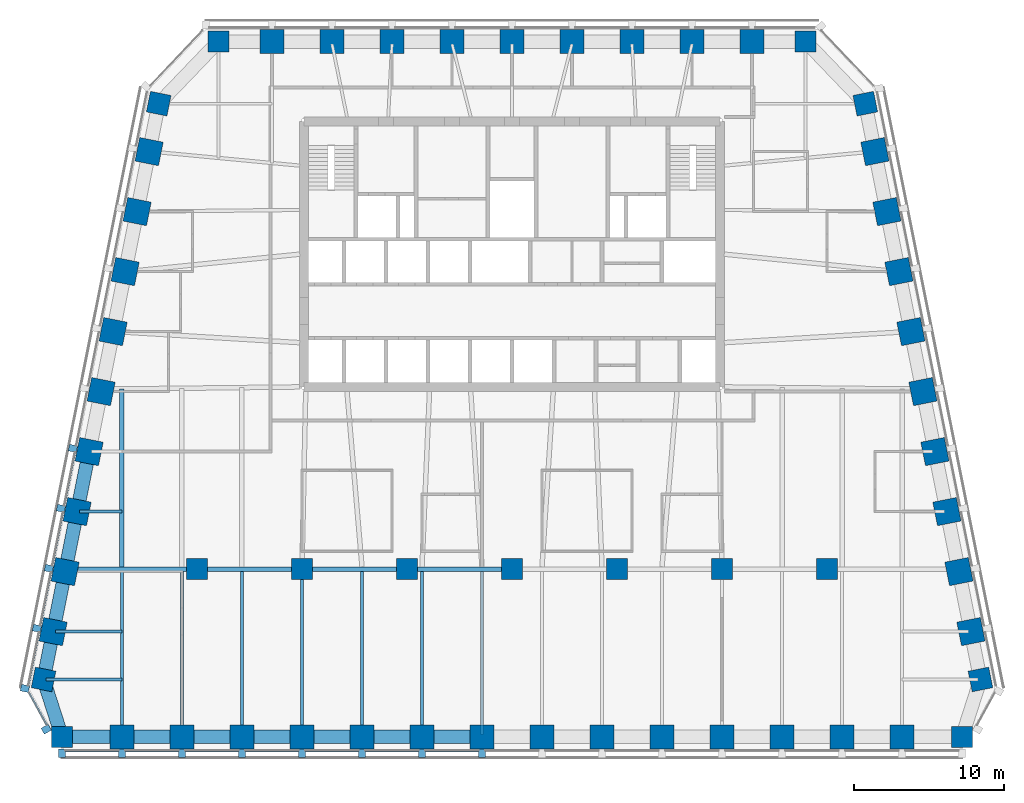
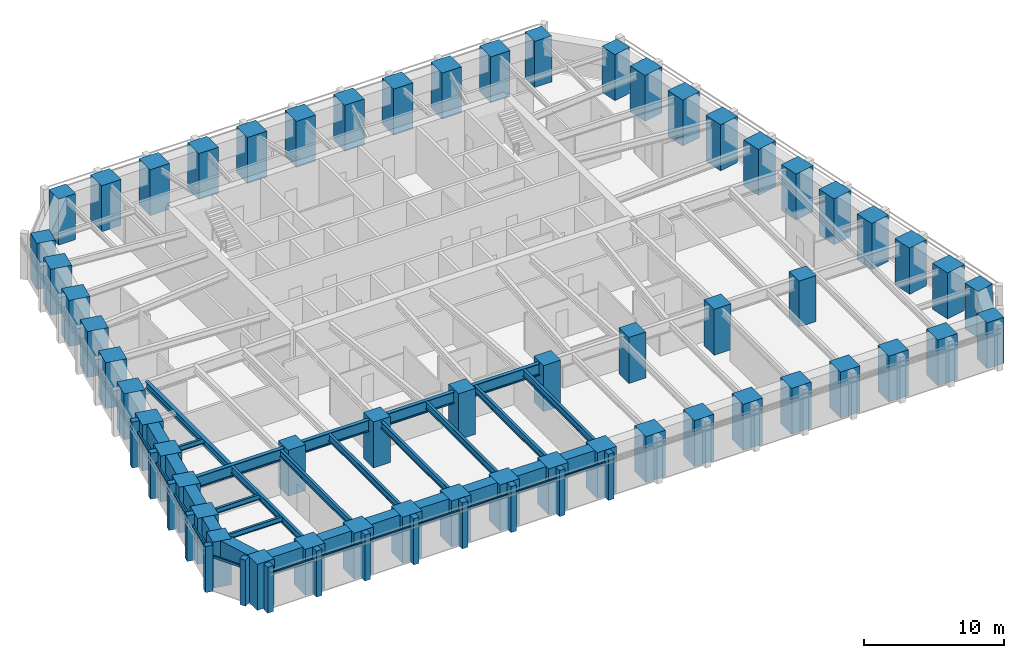
# One storey, part 1 of 10: 56 columns, 27 beams, 26 members, 3 elements without a shape of their own.
"""IFC4 building model written with IfcOpenShell, lengths in metres."""

import ifcopenshell
import ifcopenshell.guid

model = None  # the IFC model being written
_history = None  # IfcOwnerHistory: only IFC2X3 demands one
_inside = {}  # id of a spatial element -> (the spatial element, [elements in it])
_under = {}  # id of a project, library or spatial element -> (it, [spatial elements below it])
_declared = {}  # id of a project -> (the project, [libraries it declares])
_typed = {}  # id of a type object -> (the type object, [elements of that type])
_made_of = {}  # id of a material, layer set ... -> (it, [elements and type objects made of it])


def new_model(schema):
    """Start an empty IFC model of exactly this schema.

    Asked for "IFC4X3", IfcOpenShell would pick the latest addendum, in which some entities
    have other attributes; the version numbers below select the first issue.
    IFC2X3 requires an IfcOwnerHistory on every rooted entity: one is made here for all.
    """
    global model, _history
    if schema == "IFC4X3":
        model = ifcopenshell.file(schema_version=(4, 3, 0, 0))
    else:
        model = ifcopenshell.file(schema=schema)
    _inside.clear()
    _under.clear()
    _declared.clear()
    _typed.clear()
    _made_of.clear()
    _history = None
    if model.schema == "IFC2X3":
        org = make("IfcOrganization", Name="unknown")
        user = make(
            "IfcPersonAndOrganization",
            ThePerson=make("IfcPerson", FamilyName="unknown"),
            TheOrganization=org,
        )
        app = make(
            "IfcApplication",
            ApplicationDeveloper=org,
            Version="unknown",
            ApplicationFullName="unknown",
            ApplicationIdentifier="unknown",
        )
        _history = make(
            "IfcOwnerHistory",
            OwningUser=user,
            OwningApplication=app,
            ChangeAction="ADDED",
            CreationDate=0,
        )
    return model


def make(cls, **values):
    """One entity of the class cls with the attributes given. An attribute that is None is left unset."""
    return model.create_entity(
        cls, **{name: value for name, value in values.items() if value is not None}
    )


def rooted(cls, **values):
    """An entity with a GlobalId (a new one), such as an element, a storey or a relation."""
    return make(cls, GlobalId=ifcopenshell.guid.new(), OwnerHistory=_history, **values)


def si_unit(unit_type, name, prefix=None):
    """IfcSIUnit, for example si_unit("LENGTHUNIT", "METRE", prefix="MILLI")."""
    return make("IfcSIUnit", UnitType=unit_type, Prefix=prefix, Name=name)


def assignment(units):
    """IfcUnitAssignment: the units of a project."""
    return None if units is None else make("IfcUnitAssignment", Units=units)


def point(xyz):
    """IfcCartesianPoint."""
    return None if xyz is None else make("IfcCartesianPoint", Coordinates=xyz)


def direction(xyz):
    """IfcDirection."""
    return None if xyz is None else make("IfcDirection", DirectionRatios=xyz)


def frame(location, z_axis=None, x_axis=None):
    """IfcAxis2Placement3D, a coordinate frame: its origin and axes. An axis left out is left unset."""
    return make(
        "IfcAxis2Placement3D",
        Location=point(location),
        Axis=direction(z_axis),
        RefDirection=direction(x_axis),
    )


def frame_2d(location, x_axis=None):
    """IfcAxis2Placement2D, a coordinate frame in the plane: its origin and x axis."""
    return make(
        "IfcAxis2Placement2D", Location=point(location), RefDirection=direction(x_axis)
    )


def origin():
    """The frame at (0, 0, 0) with its axes left unset."""
    return frame((0.0, 0.0, 0.0))


def origin_2d():
    """The frame at (0, 0) in the plane with its x axis left unset."""
    return frame_2d((0.0, 0.0))


def place(relative_to, where):
    """IfcLocalPlacement: puts the frame where relative to a parent placement (None: the world)."""
    return make(
        "IfcLocalPlacement", PlacementRelTo=relative_to, RelativePlacement=where
    )


def context(
    kind, dimensions, precision=None, world=None, true_north=None, identifier=None
):
    """IfcGeometricRepresentationContext, for example the 3D "Model" context."""
    return make(
        "IfcGeometricRepresentationContext",
        ContextIdentifier=identifier,
        ContextType=kind,
        CoordinateSpaceDimension=dimensions,
        Precision=precision,
        WorldCoordinateSystem=world,
        TrueNorth=true_north,
    )


def subcontext(parent, identifier, kind, view, scale=None):
    """IfcGeometricRepresentationSubContext, for example "Body" below "Model"."""
    return make(
        "IfcGeometricRepresentationSubContext",
        ContextIdentifier=identifier,
        ContextType=kind,
        ParentContext=parent,
        TargetScale=scale,
        TargetView=view,
    )


def project(units=None, contexts=None):
    """IfcProject with its units and contexts."""
    return rooted(
        "IfcProject",
        Name="project",
        RepresentationContexts=contexts,
        UnitsInContext=assignment(units),
    )


def spatial(cls, under=None, at=None, **own):
    """A site, building, storey or space (cls), placed at a placement, below another one or the project."""
    s = rooted(cls, ObjectPlacement=at, **own)
    if under is not None:
        _under.setdefault(under.id(), (under, []))[1].append(s)
    return s


def profile(cls, at=None, kind="AREA", **sizes):
    """A parametric profile (cls). Its sizes go by their IFC names, for example OverallWidth=200.0."""
    return make(cls, ProfileType=kind, Position=at, **sizes)


def rectangle(**sizes):
    """IfcRectangleProfileDef."""
    return profile("IfcRectangleProfileDef", **sizes)


def i_section(**sizes):
    """IfcIShapeProfileDef."""
    return profile("IfcIShapeProfileDef", **sizes)


def extrude(swept, where, along, depth):
    """IfcExtrudedAreaSolid: the profile swept, set in the frame where, extruded along a direction by depth."""
    return make(
        "IfcExtrudedAreaSolid",
        SweptArea=swept,
        Position=where,
        ExtrudedDirection=direction(along),
        Depth=depth,
    )


def shape(context_of_items, identifier, shape_type, items):
    """IfcShapeRepresentation: the items that make up one representation, for example the "Body"."""
    return make(
        "IfcShapeRepresentation",
        ContextOfItems=context_of_items,
        RepresentationIdentifier=identifier,
        RepresentationType=shape_type,
        Items=items,
    )


def material(Name=None, Category=None):
    """IfcMaterial."""
    return make("IfcMaterial", Name=Name, Category=Category)


def material_profile(
    of_material, cross_section, Name=None, Category=None, Priority=None
):
    """IfcMaterialProfile: a cross section and its material."""
    return make(
        "IfcMaterialProfile",
        Name=Name,
        Material=of_material,
        Profile=cross_section,
        Priority=Priority,
        Category=Category,
    )


def profile_set(profiles, Name=None, composite=None):
    """IfcMaterialProfileSet."""
    return make(
        "IfcMaterialProfileSet",
        Name=Name,
        MaterialProfiles=profiles,
        CompositeProfile=composite,
    )


def made_of(thing, what):
    """Note that an element or type object is made of a material, layer set ...; save() writes the relation."""
    if what is not None:
        _made_of.setdefault(what.id(), (what, []))[1].append(thing)
    return thing


def type_object(cls, material=None, **own):
    """A type object (cls), such as IfcWallType, which elements share."""
    return made_of(rooted(cls, **own), material)


def element(
    cls,
    number,
    at=None,
    inside=None,
    cuts=None,
    type_object=None,
    material=None,
    context=None,
    identifier="Body",
    shape_type=None,
    held_by="IfcProductDefinitionShape",
    body=None,
    shapes=None,
    **own,
):
    """One element of the class cls, such as IfcWall. Its Tag is "e" and its number.

    at: its placement. inside: the storey or other place that contains it. cuts: it is an
    opening in that element (IfcRelVoidsElement). A single representation is given by context,
    identifier, shape_type and body (its items); several are given by shapes. held_by: the class
    of the entity that holds the representations. save() writes the other relations.
    """
    e = rooted(cls, Tag="e%d" % number, ObjectPlacement=at, **own)
    if body is not None:
        shapes = [shape(context, identifier, shape_type, body)]
    if shapes is not None:
        e.Representation = make(held_by, Representations=shapes)
    if inside is not None:
        _inside.setdefault(inside.id(), (inside, []))[1].append(e)
    if cuts is not None:
        rooted(
            "IfcRelVoidsElement", RelatingBuildingElement=cuts, RelatedOpeningElement=e
        )
    if type_object is not None:
        _typed.setdefault(type_object.id(), (type_object, []))[1].append(e)
    return made_of(e, material)


def aggregate(whole, parts):
    """IfcRelAggregates: a whole, such as a stair, and the parts it consists of."""
    return rooted("IfcRelAggregates", RelatingObject=whole, RelatedObjects=parts)


def save(model, path):
    """Write the relations noted so far, then the file.

    IfcRelAggregates (storeys below a building ...), IfcRelContainedInSpatialStructure (elements
    in a storey), IfcRelDefinesByType, IfcRelAssociatesMaterial and IfcRelDeclares: one each for
    every whole, place, type object, material and project.
    """
    for whole, parts in _under.values():
        aggregate(whole, parts)
    for where, things in _inside.values():
        rooted(
            "IfcRelContainedInSpatialStructure",
            RelatedElements=things,
            RelatingStructure=where,
        )
    for kind, things in _typed.values():
        rooted("IfcRelDefinesByType", RelatedObjects=things, RelatingType=kind)
    for what, things in _made_of.values():
        rooted("IfcRelAssociatesMaterial", RelatedObjects=things, RelatingMaterial=what)
    for by, libraries in _declared.values():
        rooted("IfcRelDeclares", RelatingContext=by, RelatedDefinitions=libraries)
    model.write(path)


model = new_model("IFC4")

# Units and contexts
model_context = context("Model", 3, precision=1e-05, world=origin(), true_north=direction((0.0, 1.0)))
body_context = subcontext(model_context, "Body", "Model", "MODEL_VIEW")
ifc_project = project(units=[si_unit("LENGTHUNIT", "METRE"), si_unit("AREAUNIT", "SQUARE_METRE"), si_unit("VOLUMEUNIT", "CUBIC_METRE"), si_unit("PLANEANGLEUNIT", "RADIAN"), si_unit("MASSUNIT", "GRAM", prefix="KILO")], contexts=[model_context])

# Site, building, storey
site_placement = place(None, origin())
site = spatial("IfcSite", under=ifc_project, at=site_placement, CompositionType="ELEMENT")
building_placement = place(site_placement, origin())
building = spatial("IfcBuilding", under=site, at=building_placement, Name="Isbrekke Arena Tower", CompositionType="ELEMENT")
storey_placement = place(building_placement, frame((0.0, 0.0, 226.0)))
storey = spatial("IfcBuildingStorey", under=building, at=storey_placement, Name="L52", CompositionType="ELEMENT", Elevation=226.0)

# Columns
ifc_material_1 = material(Name="Concrete B65 (C65/80)", Category="concrete")
ifc_material_profile_1 = material_profile(ifc_material_1, rectangle(XDim=1.39990234375, YDim=1.39990234375, at=origin_2d()), Name="RC 1400x1400")
ifc_profile_set_1 = profile_set([ifc_material_profile_1], Name="Concrete B65 (C65/80)")
column_type_1 = type_object("IfcColumnType", Name="C13 RC 1400 x 1400", PredefinedType="COLUMN", material=ifc_profile_set_1)
for number, where, z_axis, x_axis, name in (
    (1, (-21.0, -6.0, 0.0), (0.0, 0.0, 1.0), (1.0, 0.0, 0.0), "C13 I01"),
    (2, (-14.0, -6.0, 0.0), (0.0, 0.0, 1.0), (1.0, 0.0, 0.0), "C13 I02"),
    (3, (-7.0, -6.0, 0.0), (0.0, 0.0, 1.0), (1.0, 0.0, 0.0), "C13 I03"),
    (4, (0.0, -6.0, 0.0), (0.0, 0.0, 1.0), (1.0, 0.0, 0.0), "C13 I04"),
    (5, (7.0, -6.0, 0.0), (0.0, 0.0, 1.0), (1.0, 0.0, 0.0), "C13 I05"),
    (6, (14.0, -6.0, 0.0), (0.0, 0.0, 1.0), (1.0, 0.0, 0.0), "C13 I06"),
    (7, (21.0, -6.0, 0.0), (0.0, 0.0, 1.0), (1.0, 0.0, 0.0), "C13 I07"),
):
    element("IfcColumn", number, at=place(storey_placement, frame(where, z_axis=z_axis, x_axis=x_axis)), inside=storey, type_object=column_type_1, Name=name, PredefinedType="COLUMN", context=body_context, shape_type="SweptSolid", body=[
        extrude(rectangle(XDim=1.39990234375, YDim=1.39990234375, at=origin_2d()), origin(), (0.0, 0.0, 1.0), 4.0),
    ])
ifc_material_2 = material(Name="Concrete B65 (C65/80)", Category="concrete")
ifc_material_profile_2 = material_profile(ifc_material_2, rectangle(XDim=1.60009765625, YDim=1.60009765625, at=origin_2d()), Name="RC 1600x1600")
ifc_profile_set_2 = profile_set([ifc_material_profile_2], Name="Concrete B65 (C65/80)")
column_type_2 = type_object("IfcColumnType", Name="C4 RC 1600 x 1600", PredefinedType="COLUMN", material=ifc_profile_set_2)
for number, where, z_axis, x_axis, name in (
    (8, (-26.0, -17.175048828125, 0.0), (0.0, 0.0, 1.0), (1.0, 0.0, 0.0), "C4 S02"),
    (9, (-22.0, -17.175048828125, 0.0), (0.0, 0.0, 1.0), (1.0, 0.0, 0.0), "C4 S03"),
    (10, (-18.0, -17.175048828125, 0.0), (0.0, 0.0, 1.0), (1.0, 0.0, 0.0), "C4 S04"),
    (11, (-14.0, -17.175048828125, 0.0), (0.0, 0.0, 1.0), (1.0, 0.0, 0.0), "C4 S05"),
    (12, (-10.0, -17.175048828125, 0.0), (0.0, 0.0, 1.0), (1.0, 0.0, 0.0), "C4 S06"),
    (13, (-6.0, -17.175048828125, 0.0), (0.0, 0.0, 1.0), (1.0, 0.0, 0.0), "C4 S07"),
    (14, (-2.0, -17.175048828125, 0.0), (0.0, 0.0, 1.0), (1.0, 0.0, 0.0), "C4 S08"),
    (15, (2.0, -17.175048828125, 0.0), (0.0, 0.0, 1.0), (1.0, 0.0, 0.0), "C4 S09"),
    (16, (6.0, -17.175048828125, 0.0), (0.0, 0.0, 1.0), (1.0, 0.0, 0.0), "C4 S10"),
    (17, (10.0, -17.175048828125, 0.0), (0.0, 0.0, 1.0), (1.0, 0.0, 0.0), "C4 S11"),
    (18, (14.0, -17.175048828125, 0.0), (0.0, 0.0, 1.0), (1.0, 0.0, 0.0), "C4 S12"),
    (19, (18.0, -17.175048828125, 0.0), (0.0, 0.0, 1.0), (1.0, 0.0, 0.0), "C4 S13"),
    (20, (22.0, -17.175048828125, 0.0), (0.0, 0.0, 1.0), (1.0, 0.0, 0.0), "C4 S14"),
    (21, (26.0, -17.175048828125, 0.0), (0.0, 0.0, 1.0), (1.0, 0.0, 0.0), "C4 S15"),
    (22, (30.591064453125, -10.161865234375, 0.0), (0.0, 0.0, 1.0), (-0.196116135138, 0.980580675691, 0.0), "C4 E02"),
    (23, (29.791015625, -6.161865234375, 0.0), (0.0, 0.0, 1.0), (-0.196116135138, 0.980580675691, 0.0), "C4 E03"),
    (24, (28.990966796875, -2.161865234375, 0.0), (0.0, 0.0, 1.0), (-0.196116135138, 0.980580675691, 0.0), "C4 E04"),
    (25, (28.19091796875, 1.838134765625, 0.0), (0.0, 0.0, 1.0), (-0.196116135138, 0.980580675691, 0.0), "C4 E05"),
    (26, (27.39111328125, 5.838134765625, 0.0), (0.0, 0.0, 1.0), (-0.196116135138, 0.980580675691, 0.0), "C4 E06"),
    (27, (26.591064453125, 9.838134765625, 0.0), (0.0, 0.0, 1.0), (-0.196116135138, 0.980580675691, 0.0), "C4 E07"),
    (28, (25.791015625, 13.838134765625, 0.0), (0.0, 0.0, 1.0), (-0.196116135138, 0.980580675691, 0.0), "C4 E08"),
    (29, (24.990966796875, 17.838134765625, 0.0), (0.0, 0.0, 1.0), (-0.196116135138, 0.980580675691, 0.0), "C4 E09"),
    (30, (24.19091796875, 21.838134765625, 0.0), (0.0, 0.0, 1.0), (-0.196116135138, 0.980580675691, 0.0), "C4 E10"),
    (31, (16.0, 29.175048828125, 0.0), (0.0, 0.0, 1.0), (-1.0, 0.0, 0.0), "C4 N02"),
    (32, (12.0, 29.175048828125, 0.0), (0.0, 0.0, 1.0), (-1.0, 0.0, 0.0), "C4 N03"),
    (33, (8.0, 29.175048828125, 0.0), (0.0, 0.0, 1.0), (-1.0, 0.0, 0.0), "C4 N04"),
    (34, (4.0, 29.175048828125, 0.0), (0.0, 0.0, 1.0), (-1.0, 0.0, 0.0), "C4 N05"),
    (35, (0.0, 29.175048828125, 0.0), (0.0, 0.0, 1.0), (-1.0, 0.0, 0.0), "C4 N06"),
    (36, (-4.0, 29.175048828125, 0.0), (0.0, 0.0, 1.0), (-1.0, 0.0, 0.0), "C4 N07"),
    (37, (-8.0, 29.175048828125, 0.0), (0.0, 0.0, 1.0), (-1.0, 0.0, 0.0), "C4 N08"),
    (38, (-12.0, 29.175048828125, 0.0), (0.0, 0.0, 1.0), (-1.0, 0.0, 0.0), "C4 N09"),
    (39, (-16.0, 29.175048828125, 0.0), (0.0, 0.0, 1.0), (-1.0, 0.0, 0.0), "C4 N10"),
    (40, (-24.19091796875, 21.838134765625, 0.0), (0.0, 0.0, 1.0), (-0.196116135138, -0.980580675691, 0.0), "C4 W02"),
    (41, (-24.990966796875, 17.838134765625, 0.0), (0.0, 0.0, 1.0), (-0.196116135138, -0.980580675691, 0.0), "C4 W03"),
    (42, (-25.791015625, 13.838134765625, 0.0), (0.0, 0.0, 1.0), (-0.196116135138, -0.980580675691, 0.0), "C4 W04"),
    (43, (-26.591064453125, 9.838134765625, 0.0), (0.0, 0.0, 1.0), (-0.196116135138, -0.980580675691, 0.0), "C4 W05"),
    (44, (-27.39111328125, 5.838134765625, 0.0), (0.0, 0.0, 1.0), (-0.196116135138, -0.980580675691, 0.0), "C4 W06"),
    (45, (-28.19091796875, 1.838134765625, 0.0), (0.0, 0.0, 1.0), (-0.196116135138, -0.980580675691, 0.0), "C4 W07"),
    (46, (-28.990966796875, -2.161865234375, 0.0), (0.0, 0.0, 1.0), (-0.196116135138, -0.980580675691, 0.0), "C4 W08"),
    (47, (-29.791015625, -6.161865234375, 0.0), (0.0, 0.0, 1.0), (-0.196116135138, -0.980580675691, 0.0), "C4 W09"),
    (48, (-30.591064453125, -10.161865234375, 0.0), (0.0, 0.0, 1.0), (-0.196116135138, -0.980580675691, 0.0), "C4 W10"),
):
    element("IfcColumn", number, at=place(storey_placement, frame(where, z_axis=z_axis, x_axis=x_axis)), inside=storey, type_object=column_type_2, Name=name, PredefinedType="COLUMN", context=body_context, shape_type="SweptSolid", body=[
        extrude(rectangle(XDim=1.60009765625, YDim=1.60009765625, at=origin_2d()), origin(), (0.0, 0.0, 1.0), 4.0),
    ])
ifc_material_3 = material(Name="Concrete B65 (C65/80)", Category="concrete")
ifc_material_profile_3 = material_profile(ifc_material_3, rectangle(XDim=1.39990234375, YDim=1.39990234375, at=origin_2d()), Name="RC 1400x1400")
ifc_profile_set_3 = profile_set([ifc_material_profile_3], Name="Concrete B65 (C65/80)")
column_type_3 = type_object("IfcColumnType", Name="C8 RC 1400 x 1400", PredefinedType="COLUMN", material=ifc_profile_set_3)
for number, where, z_axis, x_axis, name in (
    (49, (-30.0, -17.175048828125, 0.0), (0.0, 0.0, 1.0), (1.0, 0.0, 0.0), "C8 S01"),
    (50, (30.0, -17.175048828125, 0.0), (0.0, 0.0, 1.0), (1.0, 0.0, 0.0), "C8 S16"),
    (51, (31.229248046875, -13.352783203125, 0.0), (0.0, 0.0, 1.0), (-0.196116135138, 0.980580675691, 0.0), "C8 E01"),
    (52, (23.552734375, 25.029296875, 0.0), (0.0, 0.0, 1.0), (-0.196116135138, 0.980580675691, 0.0), "C8 E11"),
    (53, (19.574951171875, 29.175048828125, 0.0), (0.0, 0.0, 1.0), (-1.0, 0.0, 0.0), "C8 N01"),
    (54, (-19.574951171875, 29.175048828125, 0.0), (0.0, 0.0, 1.0), (-1.0, 0.0, 0.0), "C8 N11"),
    (55, (-23.552734375, 25.029296875, 0.0), (0.0, 0.0, 1.0), (-0.196116135138, -0.980580675691, 0.0), "C8 W01"),
    (56, (-31.229248046875, -13.352783203125, 0.0), (0.0, 0.0, 1.0), (-0.196116135138, -0.980580675691, 0.0), "C8 W11"),
):
    element("IfcColumn", number, at=place(storey_placement, frame(where, z_axis=z_axis, x_axis=x_axis)), inside=storey, type_object=column_type_3, Name=name, PredefinedType="COLUMN", context=body_context, shape_type="SweptSolid", body=[
        extrude(rectangle(XDim=1.39990234375, YDim=1.39990234375, at=origin_2d()), origin(), (0.0, 0.0, 1.0), 4.0),
    ])

# Beams
ifc_material_4 = material(Name="Steel S355", Category="steel")
ifc_material_profile_4 = material_profile(ifc_material_4, i_section(OverallWidth=0.219970703125, OverallDepth=0.60009765625, WebThickness=0.011962890625, FlangeThickness=0.01904296875, FilletRadius=0.02392578125, at=origin_2d()), Name="IPE 600")
ifc_profile_set_4 = profile_set([ifc_material_profile_4], Name="Steel S355")
beam_type_1 = type_object("IfcBeamType", Name="B1 IPE 600", PredefinedType="BEAM", material=ifc_profile_set_4)
for number, where, z_axis, x_axis, name in (
    (57, (-26.0, -17.02490234375, 3.550048828125), (0.0, 1.0, 0.0), (-1.0, 0.0, 0.0), "B1 beam S-S02 L52"),
    (58, (-22.0, -17.02490234375, 3.550048828125), (0.0, 1.0, 0.0), (-1.0, 0.0, 0.0), "B1 beam S-S03 L52"),
    (59, (-18.0, -17.02490234375, 3.550048828125), (0.0, 1.0, 0.0), (-1.0, 0.0, 0.0), "B1 beam S-S04 L52"),
):
    element("IfcBeam", number, at=place(storey_placement, frame(where, z_axis=z_axis, x_axis=x_axis)), inside=storey, type_object=beam_type_1, Name=name, PredefinedType="BEAM", context=body_context, shape_type="SweptSolid", body=[
        extrude(i_section(OverallWidth=0.219970703125, OverallDepth=0.60009765625, WebThickness=0.011962890625, FlangeThickness=0.01904296875, FilletRadius=0.02392578125, at=origin_2d()), origin(), (0.0, 0.0, 1.0), 10.8740234375),
    ])
beam_1_placement = place(storey_placement, frame((-14.0, -17.02490234375, 3.550048828125), z_axis=(0.0, 1.0, 0.0), x_axis=(-1.0, 0.0, 0.0)))
element("IfcBeam", 60, at=beam_1_placement, inside=storey, type_object=beam_type_1, Name="B1 beam S-S05 L52", PredefinedType="BEAM", context=body_context, shape_type="SweptSolid", body=[
    extrude(i_section(OverallWidth=0.219970703125, OverallDepth=0.60009765625, WebThickness=0.011962890625, FlangeThickness=0.01904296875, FilletRadius=0.02392578125, at=origin_2d()), origin(), (0.0, 0.0, 1.0), 10.875),
])
for number, where, z_axis, x_axis, name in (
    (61, (-10.0, -17.02490234375, 3.550048828125), (0.0, 1.0, 0.0), (-1.0, 0.0, 0.0), "B1 beam S-S06 L52"),
    (62, (-6.0, -17.02490234375, 3.550048828125), (0.0, 1.0, 0.0), (-1.0, 0.0, 0.0), "B1 beam S-S07 L52"),
    (63, (-2.0, -17.02490234375, 3.550048828125), (0.0, 1.0, 0.0), (-1.0, 0.0, 0.0), "B1 beam S-S08 L52"),
):
    element("IfcBeam", number, at=place(storey_placement, frame(where, z_axis=z_axis, x_axis=x_axis)), inside=storey, type_object=beam_type_1, Name=name, PredefinedType="BEAM", context=body_context, shape_type="SweptSolid", body=[
        extrude(i_section(OverallWidth=0.219970703125, OverallDepth=0.60009765625, WebThickness=0.011962890625, FlangeThickness=0.01904296875, FilletRadius=0.02392578125, at=origin_2d()), origin(), (0.0, 0.0, 1.0), 10.8740234375),
    ])
ifc_material_5 = material(Name="Steel S355", Category="steel")
ifc_material_profile_5 = material_profile(ifc_material_5, i_section(OverallWidth=0.18994140625, OverallDepth=0.449951171875, WebThickness=0.009521484375, FlangeThickness=0.0146484375, FilletRadius=0.02099609375, at=origin_2d()), Name="IPE 450")
ifc_profile_set_5 = profile_set([ifc_material_profile_5], Name="Steel S355")
beam_type_2 = type_object("IfcBeamType", Name="B2 IPE 450", PredefinedType="BEAM", material=ifc_profile_set_5)
beam_2_placement = place(storey_placement, frame((-28.841064453125, -2.161865234375, 3.625), z_axis=(1.0, 0.0, 0.0), x_axis=(0.0, 1.0, 0.0)))
element("IfcBeam", 64, at=beam_2_placement, inside=storey, type_object=beam_type_2, Name="B2 beam E-W08 L52", PredefinedType="BEAM", context=body_context, shape_type="SweptSolid", body=[
    extrude(i_section(OverallWidth=0.18994140625, OverallDepth=0.449951171875, WebThickness=0.009521484375, FlangeThickness=0.0146484375, FilletRadius=0.02099609375, at=origin_2d()), origin(), (0.0, 0.0, 1.0), 2.841064453125),
])
beam_3_placement = place(storey_placement, frame((-30.44091796875, -10.161865234375, 3.625), z_axis=(1.0, 0.0, 0.0), x_axis=(0.0, 1.0, 0.0)))
element("IfcBeam", 65, at=beam_3_placement, inside=storey, type_object=beam_type_2, Name="B2 beam E-W10 L52", PredefinedType="BEAM", context=body_context, shape_type="SweptSolid", body=[
    extrude(i_section(OverallWidth=0.18994140625, OverallDepth=0.449951171875, WebThickness=0.009521484375, FlangeThickness=0.0146484375, FilletRadius=0.02099609375, at=origin_2d()), origin(), (0.0, 0.0, 1.0), 4.44091796875),
])
beam_4_placement = place(storey_placement, frame((-31.079345703125, -13.352783203125, 3.625), z_axis=(1.0, 0.0, 0.0), x_axis=(0.0, 1.0, 0.0)))
element("IfcBeam", 66, at=beam_4_placement, inside=storey, type_object=beam_type_2, Name="B2 beam E-W11 L52", PredefinedType="BEAM", context=body_context, shape_type="SweptSolid", body=[
    extrude(i_section(OverallWidth=0.18994140625, OverallDepth=0.449951171875, WebThickness=0.009521484375, FlangeThickness=0.0146484375, FilletRadius=0.02099609375, at=origin_2d()), origin(), (0.0, 0.0, 1.0), 5.079345703125),
])
ifc_material_6 = material(Name="Steel S355", Category="steel")
ifc_material_profile_6 = material_profile(ifc_material_6, i_section(OverallWidth=0.300048828125, OverallDepth=0.60009765625, WebThickness=0.015380859375, FlangeThickness=0.030029296875, FilletRadius=0.027099609375, at=origin_2d()), Name="HEB 600")
ifc_profile_set_6 = profile_set([ifc_material_profile_6], Name="Steel S355")
beam_type_3 = type_object("IfcBeamType", Name="B7 HEB 600", PredefinedType="BEAM", material=ifc_profile_set_6)
beam_5_placement = place(storey_placement, frame((-26.0, -5.84912109375, 3.550048828125), z_axis=(0.0, 1.0, 0.0), x_axis=(-1.0, 0.0, 0.0)))
element("IfcBeam", 67, at=beam_5_placement, inside=storey, type_object=beam_type_3, Name="B7 beam C-M01 L52", PredefinedType="BEAM", context=body_context, shape_type="SweptSolid", body=[
    extrude(i_section(OverallWidth=0.300048828125, OverallDepth=0.60009765625, WebThickness=0.015380859375, FlangeThickness=0.030029296875, FilletRadius=0.027099609375, at=origin_2d()), origin(), (0.0, 0.0, 1.0), 11.864990234375),
])

# Curtain wall, members
ifc_material_7 = material(Name="Glazed aluminium curtain wall", Category="aluminium")
curtain_wall_type = type_object("IfcCurtainWallType", Name="CWH TOWER CURTAIN WALL HIGH ZONE", PredefinedType="USERDEFINED", material=ifc_material_7)
curtain_wall_1_placement = place(storey_placement, origin())
curtain_wall_1 = element("IfcCurtainWall", 68, at=curtain_wall_1_placement, inside=storey, type_object=curtain_wall_type, Name="CWH curtain wall L52-S", ObjectType="TOWER CURTAIN WALL HIGH ZONE", PredefinedType="USERDEFINED")
ifc_material_8 = material(Name="Aluminium mullion, pale brick slip cladding", Category="masonry")
ifc_material_profile_7 = material_profile(ifc_material_8, rectangle(XDim=0.449951171875, YDim=0.550048828125, at=origin_2d()), Name="PIER 450X550")
ifc_profile_set_7 = profile_set([ifc_material_profile_7], Name="Aluminium mullion, pale brick slip cladding")
member_type_1 = type_object("IfcMemberType", Name="CWH-M PIER MULLION 450 x 550", PredefinedType="MULLION", material=ifc_profile_set_7)
member_1_placement = place(storey_placement, frame((-30.0, -18.27490234375, 0.0), z_axis=(0.0, 0.0, 1.0), x_axis=(1.0, 0.0, 0.0)))
member_1 = element("IfcMember", 69, at=member_1_placement, type_object=member_type_1, Name="CWH-M mullion 1", PredefinedType="MULLION", context=body_context, shape_type="SweptSolid", body=[
    extrude(rectangle(XDim=0.449951171875, YDim=0.550048828125, at=origin_2d()), origin(), (0.0, 0.0, 1.0), 4.0),
])
member_2_placement = place(storey_placement, frame((-26.0, -18.27490234375, 0.0), z_axis=(0.0, 0.0, 1.0), x_axis=(1.0, 0.0, 0.0)))
member_2 = element("IfcMember", 70, at=member_2_placement, type_object=member_type_1, Name="CWH-M mullion 2", PredefinedType="MULLION", context=body_context, shape_type="SweptSolid", body=[
    extrude(rectangle(XDim=0.449951171875, YDim=0.550048828125, at=origin_2d()), origin(), (0.0, 0.0, 1.0), 4.0),
])
member_3_placement = place(storey_placement, frame((-22.0, -18.27490234375, 0.0), z_axis=(0.0, 0.0, 1.0), x_axis=(1.0, 0.0, 0.0)))
member_3 = element("IfcMember", 71, at=member_3_placement, type_object=member_type_1, Name="CWH-M mullion 3", PredefinedType="MULLION", context=body_context, shape_type="SweptSolid", body=[
    extrude(rectangle(XDim=0.449951171875, YDim=0.550048828125, at=origin_2d()), origin(), (0.0, 0.0, 1.0), 4.0),
])
member_4_placement = place(storey_placement, frame((-18.0, -18.27490234375, 0.0), z_axis=(0.0, 0.0, 1.0), x_axis=(1.0, 0.0, 0.0)))
member_4 = element("IfcMember", 72, at=member_4_placement, type_object=member_type_1, Name="CWH-M mullion 4", PredefinedType="MULLION", context=body_context, shape_type="SweptSolid", body=[
    extrude(rectangle(XDim=0.449951171875, YDim=0.550048828125, at=origin_2d()), origin(), (0.0, 0.0, 1.0), 4.0),
])
member_5_placement = place(storey_placement, frame((-14.0, -18.27490234375, 0.0), z_axis=(0.0, 0.0, 1.0), x_axis=(1.0, 0.0, 0.0)))
member_5 = element("IfcMember", 73, at=member_5_placement, type_object=member_type_1, Name="CWH-M mullion 5", PredefinedType="MULLION", context=body_context, shape_type="SweptSolid", body=[
    extrude(rectangle(XDim=0.449951171875, YDim=0.550048828125, at=origin_2d()), origin(), (0.0, 0.0, 1.0), 4.0),
])
member_6_placement = place(storey_placement, frame((-10.0, -18.27490234375, 0.0), z_axis=(0.0, 0.0, 1.0), x_axis=(1.0, 0.0, 0.0)))
member_6 = element("IfcMember", 74, at=member_6_placement, type_object=member_type_1, Name="CWH-M mullion 6", PredefinedType="MULLION", context=body_context, shape_type="SweptSolid", body=[
    extrude(rectangle(XDim=0.449951171875, YDim=0.550048828125, at=origin_2d()), origin(), (0.0, 0.0, 1.0), 4.0),
])
member_7_placement = place(storey_placement, frame((-6.0, -18.27490234375, 0.0), z_axis=(0.0, 0.0, 1.0), x_axis=(1.0, 0.0, 0.0)))
member_7 = element("IfcMember", 75, at=member_7_placement, type_object=member_type_1, Name="CWH-M mullion 7", PredefinedType="MULLION", context=body_context, shape_type="SweptSolid", body=[
    extrude(rectangle(XDim=0.449951171875, YDim=0.550048828125, at=origin_2d()), origin(), (0.0, 0.0, 1.0), 4.0),
])
member_8_placement = place(storey_placement, frame((-2.0, -18.27490234375, 0.0), z_axis=(0.0, 0.0, 1.0), x_axis=(1.0, 0.0, 0.0)))
member_8 = element("IfcMember", 76, at=member_8_placement, type_object=member_type_1, Name="CWH-M mullion 8", PredefinedType="MULLION", context=body_context, shape_type="SweptSolid", body=[
    extrude(rectangle(XDim=0.449951171875, YDim=0.550048828125, at=origin_2d()), origin(), (0.0, 0.0, 1.0), 4.0),
])

curtain_wall_2_placement = place(storey_placement, origin())
curtain_wall_2 = element("IfcCurtainWall", 77, at=curtain_wall_2_placement, inside=storey, type_object=curtain_wall_type, Name="CWH curtain wall L52-W", ObjectType="TOWER CURTAIN WALL HIGH ZONE", PredefinedType="USERDEFINED")
member_9_placement = place(storey_placement, frame((-29.269775390625, 2.053955078125, 0.0), z_axis=(0.0, 0.0, 1.0), x_axis=(-0.196116135138, -0.980580675691, 0.0)))
member_9 = element("IfcMember", 78, at=member_9_placement, type_object=member_type_1, Name="CWH-M mullion 6", PredefinedType="MULLION", context=body_context, shape_type="SweptSolid", body=[
    extrude(rectangle(XDim=0.449951171875, YDim=0.550048828125, at=origin_2d()), origin(), (0.0, 0.0, 1.0), 4.0),
])
member_10_placement = place(storey_placement, frame((-30.069580078125, -1.946044921875, 0.0), z_axis=(0.0, 0.0, 1.0), x_axis=(-0.196116135138, -0.980580675691, 0.0)))
member_10 = element("IfcMember", 79, at=member_10_placement, type_object=member_type_1, Name="CWH-M mullion 7", PredefinedType="MULLION", context=body_context, shape_type="SweptSolid", body=[
    extrude(rectangle(XDim=0.449951171875, YDim=0.550048828125, at=origin_2d()), origin(), (0.0, 0.0, 1.0), 4.0),
])
member_11_placement = place(storey_placement, frame((-30.86962890625, -5.946044921875, 0.0), z_axis=(0.0, 0.0, 1.0), x_axis=(-0.196116135138, -0.980580675691, 0.0)))
member_11 = element("IfcMember", 80, at=member_11_placement, type_object=member_type_1, Name="CWH-M mullion 8", PredefinedType="MULLION", context=body_context, shape_type="SweptSolid", body=[
    extrude(rectangle(XDim=0.449951171875, YDim=0.550048828125, at=origin_2d()), origin(), (0.0, 0.0, 1.0), 4.0),
])
member_12_placement = place(storey_placement, frame((-31.669677734375, -9.946044921875, 0.0), z_axis=(0.0, 0.0, 1.0), x_axis=(-0.196116135138, -0.980580675691, 0.0)))
member_12 = element("IfcMember", 81, at=member_12_placement, type_object=member_type_1, Name="CWH-M mullion 9", PredefinedType="MULLION", context=body_context, shape_type="SweptSolid", body=[
    extrude(rectangle(XDim=0.449951171875, YDim=0.550048828125, at=origin_2d()), origin(), (0.0, 0.0, 1.0), 4.0),
])
member_13_placement = place(storey_placement, frame((-32.4697265625, -13.946044921875, 0.0), z_axis=(0.0, 0.0, 1.0), x_axis=(-0.196116135138, -0.980580675691, 0.0)))
member_13 = element("IfcMember", 82, at=member_13_placement, type_object=member_type_1, Name="CWH-M mullion 10", PredefinedType="MULLION", context=body_context, shape_type="SweptSolid", body=[
    extrude(rectangle(XDim=0.449951171875, YDim=0.550048828125, at=origin_2d()), origin(), (0.0, 0.0, 1.0), 4.0),
])

# Curtain wall, member
curtain_wall_3_placement = place(storey_placement, origin())
curtain_wall_3 = element("IfcCurtainWall", 83, at=curtain_wall_3_placement, inside=storey, type_object=curtain_wall_type, Name="CWH curtain wall L52-WS", ObjectType="TOWER CURTAIN WALL HIGH ZONE", PredefinedType="USERDEFINED")
member_14_placement = place(storey_placement, frame((-31.04638671875, -16.66796875, 0.0), z_axis=(0.0, 0.0, 1.0), x_axis=(0.481918749773, -0.876215908676, 0.0)))
member_14 = element("IfcMember", 84, at=member_14_placement, type_object=member_type_1, Name="CWH-M mullion 1", PredefinedType="MULLION", context=body_context, shape_type="SweptSolid", body=[
    extrude(rectangle(XDim=0.449951171875, YDim=0.550048828125, at=origin_2d()), origin(), (0.0, 0.0, 1.0), 4.0),
])

# Member
ifc_material_9 = material(Name="Aluminium transom", Category="aluminium")
ifc_material_profile_8 = material_profile(ifc_material_9, rectangle(XDim=0.1201171875, YDim=0.199951171875, at=origin_2d()), Name="TRANSOM 120X200")
ifc_profile_set_8 = profile_set([ifc_material_profile_8], Name="Aluminium transom")
member_type_2 = type_object("IfcMemberType", Name="CWH-T TRANSOM 120 x 200", PredefinedType="USERDEFINED", material=ifc_profile_set_8)
member_15_placement = place(storey_placement, frame((-29.77490234375, -18.10009765625, 3.0), z_axis=(1.0, 0.0, 0.0), x_axis=(0.0, 1.0, 0.0)))
member_15 = element("IfcMember", 85, at=member_15_placement, type_object=member_type_2, Name="CWH-T transom 1", ObjectType="TRANSOM", PredefinedType="USERDEFINED", context=body_context, shape_type="SweptSolid", body=[
    extrude(rectangle(XDim=0.1201171875, YDim=0.199951171875, at=origin_2d()), origin(), (0.0, 0.0, 1.0), 3.5498046875),
])

member_16_placement = place(storey_placement, frame((-25.77490234375, -18.10009765625, 3.0), z_axis=(1.0, 0.0, 0.0), x_axis=(0.0, 1.0, 0.0)))
member_16 = element("IfcMember", 86, at=member_16_placement, type_object=member_type_2, Name="CWH-T transom 2", ObjectType="TRANSOM", PredefinedType="USERDEFINED", context=body_context, shape_type="SweptSolid", body=[
    extrude(rectangle(XDim=0.1201171875, YDim=0.199951171875, at=origin_2d()), origin(), (0.0, 0.0, 1.0), 3.5498046875),
])

member_17_placement = place(storey_placement, frame((-21.77490234375, -18.10009765625, 3.0), z_axis=(1.0, 0.0, 0.0), x_axis=(0.0, 1.0, 0.0)))
member_17 = element("IfcMember", 87, at=member_17_placement, type_object=member_type_2, Name="CWH-T transom 3", ObjectType="TRANSOM", PredefinedType="USERDEFINED", context=body_context, shape_type="SweptSolid", body=[
    extrude(rectangle(XDim=0.1201171875, YDim=0.199951171875, at=origin_2d()), origin(), (0.0, 0.0, 1.0), 3.5498046875),
])

member_18_placement = place(storey_placement, frame((-17.77490234375, -18.10009765625, 3.0), z_axis=(1.0, 0.0, 0.0), x_axis=(0.0, 1.0, 0.0)))
member_18 = element("IfcMember", 88, at=member_18_placement, type_object=member_type_2, Name="CWH-T transom 4", ObjectType="TRANSOM", PredefinedType="USERDEFINED", context=body_context, shape_type="SweptSolid", body=[
    extrude(rectangle(XDim=0.1201171875, YDim=0.199951171875, at=origin_2d()), origin(), (0.0, 0.0, 1.0), 3.5498046875),
])

member_19_placement = place(storey_placement, frame((-13.77490234375, -18.10009765625, 3.0), z_axis=(1.0, 0.0, 0.0), x_axis=(0.0, 1.0, 0.0)))
member_19 = element("IfcMember", 89, at=member_19_placement, type_object=member_type_2, Name="CWH-T transom 5", ObjectType="TRANSOM", PredefinedType="USERDEFINED", context=body_context, shape_type="SweptSolid", body=[
    extrude(rectangle(XDim=0.1201171875, YDim=0.199951171875, at=origin_2d()), origin(), (0.0, 0.0, 1.0), 3.5498046875),
])

member_20_placement = place(storey_placement, frame((-9.77490234375, -18.10009765625, 3.0), z_axis=(1.0, 0.0, 0.0), x_axis=(0.0, 1.0, 0.0)))
member_20 = element("IfcMember", 90, at=member_20_placement, type_object=member_type_2, Name="CWH-T transom 6", ObjectType="TRANSOM", PredefinedType="USERDEFINED", context=body_context, shape_type="SweptSolid", body=[
    extrude(rectangle(XDim=0.1201171875, YDim=0.199951171875, at=origin_2d()), origin(), (0.0, 0.0, 1.0), 3.5498046875),
])

member_21_placement = place(storey_placement, frame((-5.77490234375, -18.10009765625, 3.0), z_axis=(1.0, 0.0, 0.0), x_axis=(0.0, 1.0, 0.0)))
member_21 = element("IfcMember", 91, at=member_21_placement, type_object=member_type_2, Name="CWH-T transom 7", ObjectType="TRANSOM", PredefinedType="USERDEFINED", context=body_context, shape_type="SweptSolid", body=[
    extrude(rectangle(XDim=0.1201171875, YDim=0.199951171875, at=origin_2d()), origin(), (0.0, 0.0, 1.0), 3.5498046875),
])

aggregate(curtain_wall_1, [member_1, member_2, member_3, member_4, member_5, member_6, member_7, member_8, member_15, member_16, member_17, member_18, member_19, member_20, member_21])

member_22_placement = place(storey_placement, frame((-29.14208984375, 1.799072265625, 3.0), z_axis=(-0.196154943734, -0.980572913173, 0.0), x_axis=(0.980572913173, -0.196154943734, 0.0)))
member_22 = element("IfcMember", 92, at=member_22_placement, type_object=member_type_2, Name="CWH-T transom 7", ObjectType="TRANSOM", PredefinedType="USERDEFINED", context=body_context, shape_type="SweptSolid", body=[
    extrude(rectangle(XDim=0.1201171875, YDim=0.199951171875, at=origin_2d()), origin(), (0.0, 0.0, 1.0), 3.62939453125),
])

member_23_placement = place(storey_placement, frame((-29.942138671875, -2.200927734375, 3.0), z_axis=(-0.196154943734, -0.980572913173, 0.0), x_axis=(0.980572913173, -0.196154943734, 0.0)))
member_23 = element("IfcMember", 93, at=member_23_placement, type_object=member_type_2, Name="CWH-T transom 8", ObjectType="TRANSOM", PredefinedType="USERDEFINED", context=body_context, shape_type="SweptSolid", body=[
    extrude(rectangle(XDim=0.1201171875, YDim=0.199951171875, at=origin_2d()), origin(), (0.0, 0.0, 1.0), 3.62939453125),
])

member_24_placement = place(storey_placement, frame((-30.7421875, -6.200927734375, 3.0), z_axis=(-0.196090262229, -0.980585849918, 0.0), x_axis=(0.980585849918, -0.196090262229, 0.0)))
member_24 = element("IfcMember", 94, at=member_24_placement, type_object=member_type_2, Name="CWH-T transom 9", ObjectType="TRANSOM", PredefinedType="USERDEFINED", context=body_context, shape_type="SweptSolid", body=[
    extrude(rectangle(XDim=0.1201171875, YDim=0.199951171875, at=origin_2d()), origin(), (0.0, 0.0, 1.0), 3.62939453125),
])

member_25_placement = place(storey_placement, frame((-31.542236328125, -10.200927734375, 3.0), z_axis=(-0.196090262229, -0.980585849918, 0.0), x_axis=(0.980585849918, -0.196090262229, 0.0)))
member_25 = element("IfcMember", 95, at=member_25_placement, type_object=member_type_2, Name="CWH-T transom 10", ObjectType="TRANSOM", PredefinedType="USERDEFINED", context=body_context, shape_type="SweptSolid", body=[
    extrude(rectangle(XDim=0.1201171875, YDim=0.199951171875, at=origin_2d()), origin(), (0.0, 0.0, 1.0), 3.62939453125),
])

aggregate(curtain_wall_2, [member_9, member_10, member_11, member_12, member_13, member_22, member_23, member_24, member_25])

member_26_placement = place(storey_placement, frame((-32.17919921875, -14.245361328125, 3.0), z_axis=(0.481957101782, -0.876194813978, 0.0), x_axis=(0.876194813978, 0.481957101782, 0.0)))
member_26 = element("IfcMember", 96, at=member_26_placement, type_object=member_type_2, Name="CWH-T transom 1", ObjectType="TRANSOM", PredefinedType="USERDEFINED", context=body_context, shape_type="SweptSolid", body=[
    extrude(rectangle(XDim=0.1201171875, YDim=0.199951171875, at=origin_2d()), origin(), (0.0, 0.0, 1.0), 2.443603515625),
])

aggregate(curtain_wall_3, [member_14, member_26])

# Beams
ifc_material_10 = material(Name="Steel S355", Category="steel")
ifc_material_profile_9 = material_profile(ifc_material_10, i_section(OverallWidth=0.302001953125, OverallDepth=1.008056640625, WebThickness=0.02099609375, FlangeThickness=0.0400390625, FilletRadius=0.030029296875, at=origin_2d()), Name="HEM 1000")
ifc_profile_set_9 = profile_set([ifc_material_profile_9], Name="Steel S355")
beam_type_4 = type_object("IfcBeamType", Name="G1 HEM 1000", PredefinedType="BEAM", material=ifc_profile_set_9)
beam_6_placement = place(storey_placement, frame((-29.791015625, -6.0, 3.345947265625), z_axis=(1.0, 0.0, 0.0), x_axis=(0.0, 1.0, 0.0)))
element("IfcBeam", 97, at=beam_6_placement, inside=storey, type_object=beam_type_4, Name="G1 beam G1-01 L52", PredefinedType="BEAM", context=body_context, shape_type="SweptSolid", body=[
    extrude(i_section(OverallWidth=0.302001953125, OverallDepth=1.008056640625, WebThickness=0.02099609375, FlangeThickness=0.0400390625, FilletRadius=0.030029296875, at=origin_2d()), origin(), (0.0, 0.0, 1.0), 8.64111328125),
])
for number, where, z_axis, x_axis, name in (
    (98, (-20.85009765625, -6.0, 3.345947265625), (1.0, 0.0, 0.0), (0.0, 1.0, 0.0), "G1 beam G1-02 L52"),
    (99, (-13.85009765625, -6.0, 3.345947265625), (1.0, 0.0, 0.0), (0.0, 1.0, 0.0), "G1 beam G1-03 L52"),
    (100, (-6.85009765625, -6.0, 3.345947265625), (1.0, 0.0, 0.0), (0.0, 1.0, 0.0), "G1 beam G1-04 L52"),
):
    element("IfcBeam", number, at=place(storey_placement, frame(where, z_axis=z_axis, x_axis=x_axis)), inside=storey, type_object=beam_type_4, Name=name, PredefinedType="BEAM", context=body_context, shape_type="SweptSolid", body=[
        extrude(i_section(OverallWidth=0.302001953125, OverallDepth=1.008056640625, WebThickness=0.02099609375, FlangeThickness=0.0400390625, FilletRadius=0.030029296875, at=origin_2d()), origin(), (0.0, 0.0, 1.0), 6.7001953125),
    ])
ifc_material_11 = material(Name="Concrete B65 (C65/80)", Category="concrete")
ifc_material_profile_10 = material_profile(ifc_material_11, rectangle(XDim=0.89990234375, YDim=1.5, at=origin_2d()), Name="RC 900x1500")
ifc_profile_set_10 = profile_set([ifc_material_profile_10], Name="Concrete B65 (C65/80)")
beam_type_5 = type_object("IfcBeamType", Name="SB3 RC 900 x 1500", PredefinedType="SPANDREL", material=ifc_profile_set_10)
for number, where, z_axis, x_axis, name in (
    (101, (-29.85009765625, -17.175048828125, 3.25), (1.0, 0.0, 0.0), (0.0, 1.0, 0.0), "SB3 spandrel S01-S02 L52"),
    (102, (-25.85009765625, -17.175048828125, 3.25), (1.0, 0.0, 0.0), (0.0, 1.0, 0.0), "SB3 spandrel S02-S03 L52"),
    (103, (-21.85009765625, -17.175048828125, 3.25), (1.0, 0.0, 0.0), (0.0, 1.0, 0.0), "SB3 spandrel S03-S04 L52"),
    (104, (-17.85009765625, -17.175048828125, 3.25), (1.0, 0.0, 0.0), (0.0, 1.0, 0.0), "SB3 spandrel S04-S05 L52"),
    (105, (-13.85009765625, -17.175048828125, 3.25), (1.0, 0.0, 0.0), (0.0, 1.0, 0.0), "SB3 spandrel S05-S06 L52"),
    (106, (-9.85009765625, -17.175048828125, 3.25), (1.0, 0.0, 0.0), (0.0, 1.0, 0.0), "SB3 spandrel S06-S07 L52"),
    (107, (-5.85009765625, -17.175048828125, 3.25), (1.0, 0.0, 0.0), (0.0, 1.0, 0.0), "SB3 spandrel S07-S08 L52"),
):
    element("IfcBeam", number, at=place(storey_placement, frame(where, z_axis=z_axis, x_axis=x_axis)), inside=storey, type_object=beam_type_5, Name=name, PredefinedType="SPANDREL", context=body_context, shape_type="SweptSolid", body=[
        extrude(rectangle(XDim=0.89990234375, YDim=1.5, at=origin_2d()), origin(), (0.0, 0.0, 1.0), 3.7001953125),
    ])
for number, where, z_axis, x_axis, name in (
    (108, (-28.220458984375, 1.691162109375, 3.25), (-0.196128558387, -0.980578190959, 0.0), (0.980578190959, -0.196128558387, 0.0), "SB3 spandrel W07-W08 L52"),
    (109, (-29.0205078125, -2.308837890625, 3.25), (-0.196128558387, -0.980578190959, 0.0), (0.980578190959, -0.196128558387, 0.0), "SB3 spandrel W08-W09 L52"),
):
    element("IfcBeam", number, at=place(storey_placement, frame(where, z_axis=z_axis, x_axis=x_axis)), inside=storey, type_object=beam_type_5, Name=name, PredefinedType="SPANDREL", context=body_context, shape_type="SweptSolid", body=[
        extrude(rectangle(XDim=0.89990234375, YDim=1.5, at=origin_2d()), origin(), (0.0, 0.0, 1.0), 3.779296875),
    ])
beam_7_placement = place(storey_placement, frame((-29.820556640625, -6.308837890625, 3.25), z_axis=(-0.1960664412, -0.980590613169, 0.0), x_axis=(0.980590613169, -0.1960664412, 0.0)))
element("IfcBeam", 110, at=beam_7_placement, inside=storey, type_object=beam_type_5, Name="SB3 spandrel W09-W10 L52", PredefinedType="SPANDREL", context=body_context, shape_type="SweptSolid", body=[
    extrude(rectangle(XDim=0.89990234375, YDim=1.5, at=origin_2d()), origin(), (0.0, 0.0, 1.0), 3.779052734375),
])
beam_8_placement = place(storey_placement, frame((-30.620361328125, -10.308837890625, 3.25), z_axis=(-0.196100243168, -0.980583853951, 0.0), x_axis=(0.980583853951, -0.196100243168, 0.0)))
element("IfcBeam", 111, at=beam_8_placement, inside=storey, type_object=beam_type_5, Name="SB3 spandrel W10-W11 L52", PredefinedType="SPANDREL", context=body_context, shape_type="SweptSolid", body=[
    extrude(rectangle(XDim=0.89990234375, YDim=1.5, at=origin_2d()), origin(), (0.0, 0.0, 1.0), 2.954345703125),
])
beam_9_placement = place(storey_placement, frame((-31.183349609375, -13.49560546875, 3.25), z_axis=(0.306175101476, -0.951975213562, 0.0), x_axis=(0.951975213562, 0.306175101476, 0.0)))
element("IfcBeam", 112, at=beam_9_placement, inside=storey, type_object=beam_type_5, Name="SB3 spandrel W11-S01 L52", PredefinedType="SPANDREL", context=body_context, shape_type="SweptSolid", body=[
    extrude(rectangle(XDim=0.89990234375, YDim=1.5, at=origin_2d()), origin(), (0.0, 0.0, 1.0), 3.715087890625),
])

save(model, "model.ifc")
